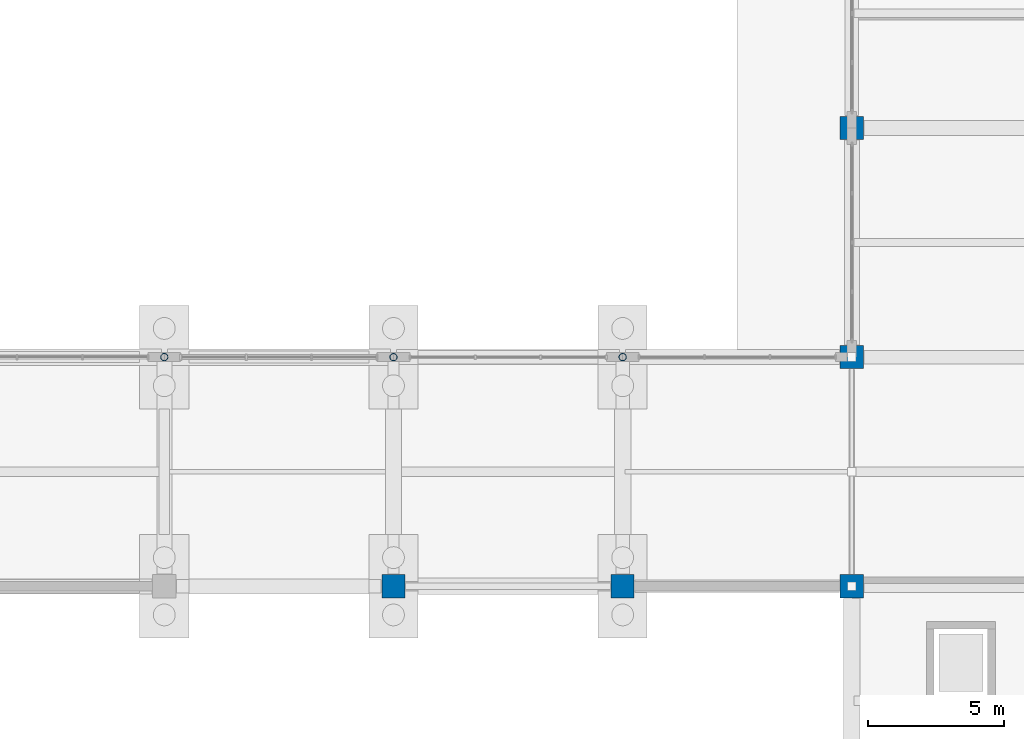
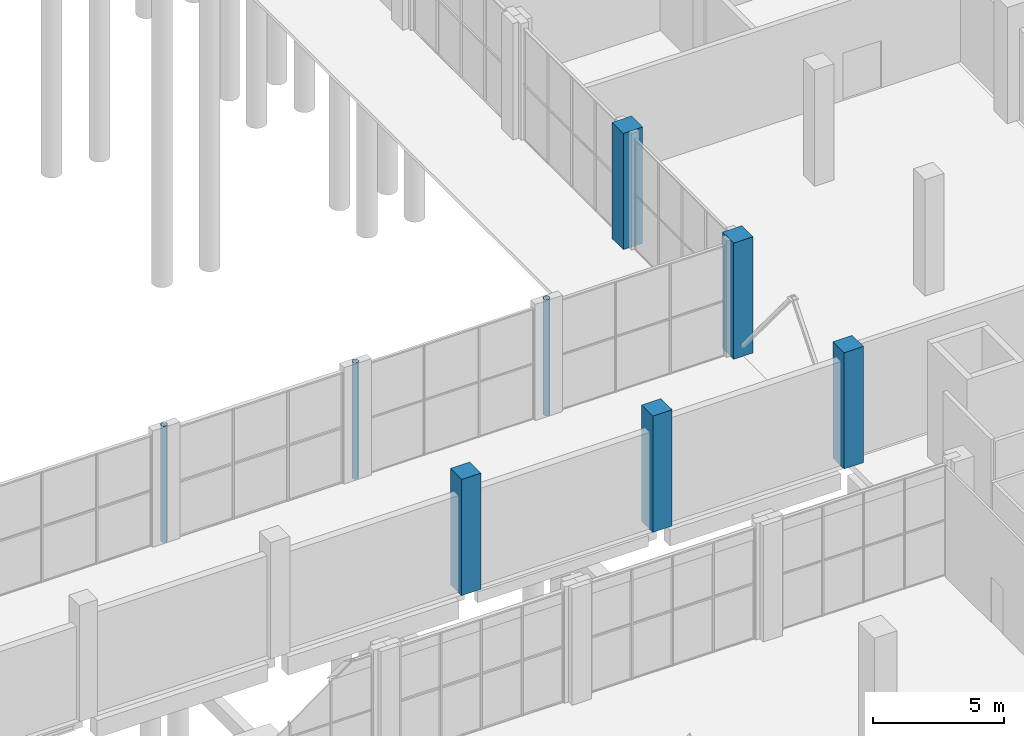
# One storey, part 13 of 82: 8 columns.
"""IFC4 building model written with IfcOpenShell, lengths in metres."""

import ifcopenshell
import ifcopenshell.guid

model = None  # the IFC model being written
_history = None  # IfcOwnerHistory: only IFC2X3 demands one
_inside = {}  # id of a spatial element -> (the spatial element, [elements in it])
_under = {}  # id of a project, library or spatial element -> (it, [spatial elements below it])
_declared = {}  # id of a project -> (the project, [libraries it declares])
_typed = {}  # id of a type object -> (the type object, [elements of that type])
_made_of = {}  # id of a material, layer set ... -> (it, [elements and type objects made of it])


def new_model(schema):
    """Start an empty IFC model of exactly this schema.

    Asked for "IFC4X3", IfcOpenShell would pick the latest addendum, in which some entities
    have other attributes; the version numbers below select the first issue.
    IFC2X3 requires an IfcOwnerHistory on every rooted entity: one is made here for all.
    """
    global model, _history
    if schema == "IFC4X3":
        model = ifcopenshell.file(schema_version=(4, 3, 0, 0))
    else:
        model = ifcopenshell.file(schema=schema)
    _inside.clear()
    _under.clear()
    _declared.clear()
    _typed.clear()
    _made_of.clear()
    _history = None
    if model.schema == "IFC2X3":
        org = make("IfcOrganization", Name="unknown")
        user = make(
            "IfcPersonAndOrganization",
            ThePerson=make("IfcPerson", FamilyName="unknown"),
            TheOrganization=org,
        )
        app = make(
            "IfcApplication",
            ApplicationDeveloper=org,
            Version="unknown",
            ApplicationFullName="unknown",
            ApplicationIdentifier="unknown",
        )
        _history = make(
            "IfcOwnerHistory",
            OwningUser=user,
            OwningApplication=app,
            ChangeAction="ADDED",
            CreationDate=0,
        )
    return model


def make(cls, **values):
    """One entity of the class cls with the attributes given. An attribute that is None is left unset."""
    return model.create_entity(
        cls, **{name: value for name, value in values.items() if value is not None}
    )


def rooted(cls, **values):
    """An entity with a GlobalId (a new one), such as an element, a storey or a relation."""
    return make(cls, GlobalId=ifcopenshell.guid.new(), OwnerHistory=_history, **values)


def si_unit(unit_type, name, prefix=None):
    """IfcSIUnit, for example si_unit("LENGTHUNIT", "METRE", prefix="MILLI")."""
    return make("IfcSIUnit", UnitType=unit_type, Prefix=prefix, Name=name)


def derived_unit(unit_type, elements):
    """IfcDerivedUnit: a product of units, each with its exponent."""
    return make(
        "IfcDerivedUnit",
        Elements=[
            make("IfcDerivedUnitElement", Unit=unit, Exponent=power)
            for unit, power in elements
        ],
        UnitType=unit_type,
    )


def assignment(units):
    """IfcUnitAssignment: the units of a project."""
    return None if units is None else make("IfcUnitAssignment", Units=units)


def point(xyz):
    """IfcCartesianPoint."""
    return None if xyz is None else make("IfcCartesianPoint", Coordinates=xyz)


def direction(xyz):
    """IfcDirection."""
    return None if xyz is None else make("IfcDirection", DirectionRatios=xyz)


def frame(location, z_axis=None, x_axis=None):
    """IfcAxis2Placement3D, a coordinate frame: its origin and axes. An axis left out is left unset."""
    return make(
        "IfcAxis2Placement3D",
        Location=point(location),
        Axis=direction(z_axis),
        RefDirection=direction(x_axis),
    )


def frame_2d(location, x_axis=None):
    """IfcAxis2Placement2D, a coordinate frame in the plane: its origin and x axis."""
    return make(
        "IfcAxis2Placement2D", Location=point(location), RefDirection=direction(x_axis)
    )


def origin():
    """The frame at (0, 0, 0) with its axes left unset."""
    return frame((0.0, 0.0, 0.0))


def origin_2d():
    """The frame at (0, 0) in the plane with its x axis left unset."""
    return frame_2d((0.0, 0.0))


def place(relative_to, where):
    """IfcLocalPlacement: puts the frame where relative to a parent placement (None: the world)."""
    return make(
        "IfcLocalPlacement", PlacementRelTo=relative_to, RelativePlacement=where
    )


def context(
    kind, dimensions, precision=None, world=None, true_north=None, identifier=None
):
    """IfcGeometricRepresentationContext, for example the 3D "Model" context."""
    return make(
        "IfcGeometricRepresentationContext",
        ContextIdentifier=identifier,
        ContextType=kind,
        CoordinateSpaceDimension=dimensions,
        Precision=precision,
        WorldCoordinateSystem=world,
        TrueNorth=true_north,
    )


def subcontext(parent, identifier, kind, view, scale=None):
    """IfcGeometricRepresentationSubContext, for example "Body" below "Model"."""
    return make(
        "IfcGeometricRepresentationSubContext",
        ContextIdentifier=identifier,
        ContextType=kind,
        ParentContext=parent,
        TargetScale=scale,
        TargetView=view,
    )


def project(units=None, contexts=None):
    """IfcProject with its units and contexts."""
    return rooted(
        "IfcProject",
        Name="project",
        RepresentationContexts=contexts,
        UnitsInContext=assignment(units),
    )


def spatial(cls, under=None, at=None, **own):
    """A site, building, storey or space (cls), placed at a placement, below another one or the project."""
    s = rooted(cls, ObjectPlacement=at, **own)
    if under is not None:
        _under.setdefault(under.id(), (under, []))[1].append(s)
    return s


def profile(cls, at=None, kind="AREA", **sizes):
    """A parametric profile (cls). Its sizes go by their IFC names, for example OverallWidth=200.0."""
    return make(cls, ProfileType=kind, Position=at, **sizes)


def rectangle(**sizes):
    """IfcRectangleProfileDef."""
    return profile("IfcRectangleProfileDef", **sizes)


def hollow_circle(**sizes):
    """IfcCircleHollowProfileDef."""
    return profile("IfcCircleHollowProfileDef", **sizes)


def extrude(swept, where, along, depth):
    """IfcExtrudedAreaSolid: the profile swept, set in the frame where, extruded along a direction by depth."""
    return make(
        "IfcExtrudedAreaSolid",
        SweptArea=swept,
        Position=where,
        ExtrudedDirection=direction(along),
        Depth=depth,
    )


def shape(context_of_items, identifier, shape_type, items):
    """IfcShapeRepresentation: the items that make up one representation, for example the "Body"."""
    return make(
        "IfcShapeRepresentation",
        ContextOfItems=context_of_items,
        RepresentationIdentifier=identifier,
        RepresentationType=shape_type,
        Items=items,
    )


def material(Name=None, Category=None):
    """IfcMaterial."""
    return make("IfcMaterial", Name=Name, Category=Category)


def material_profile(
    of_material, cross_section, Name=None, Category=None, Priority=None
):
    """IfcMaterialProfile: a cross section and its material."""
    return make(
        "IfcMaterialProfile",
        Name=Name,
        Material=of_material,
        Profile=cross_section,
        Priority=Priority,
        Category=Category,
    )


def profile_set(profiles, Name=None, composite=None):
    """IfcMaterialProfileSet."""
    return make(
        "IfcMaterialProfileSet",
        Name=Name,
        MaterialProfiles=profiles,
        CompositeProfile=composite,
    )


def made_of(thing, what):
    """Note that an element or type object is made of a material, layer set ...; save() writes the relation."""
    if what is not None:
        _made_of.setdefault(what.id(), (what, []))[1].append(thing)
    return thing


def type_object(cls, material=None, **own):
    """A type object (cls), such as IfcWallType, which elements share."""
    return made_of(rooted(cls, **own), material)


def element(
    cls,
    number,
    at=None,
    inside=None,
    cuts=None,
    type_object=None,
    material=None,
    context=None,
    identifier="Body",
    shape_type=None,
    held_by="IfcProductDefinitionShape",
    body=None,
    shapes=None,
    **own,
):
    """One element of the class cls, such as IfcWall. Its Tag is "e" and its number.

    at: its placement. inside: the storey or other place that contains it. cuts: it is an
    opening in that element (IfcRelVoidsElement). A single representation is given by context,
    identifier, shape_type and body (its items); several are given by shapes. held_by: the class
    of the entity that holds the representations. save() writes the other relations.
    """
    e = rooted(cls, Tag="e%d" % number, ObjectPlacement=at, **own)
    if body is not None:
        shapes = [shape(context, identifier, shape_type, body)]
    if shapes is not None:
        e.Representation = make(held_by, Representations=shapes)
    if inside is not None:
        _inside.setdefault(inside.id(), (inside, []))[1].append(e)
    if cuts is not None:
        rooted(
            "IfcRelVoidsElement", RelatingBuildingElement=cuts, RelatedOpeningElement=e
        )
    if type_object is not None:
        _typed.setdefault(type_object.id(), (type_object, []))[1].append(e)
    return made_of(e, material)


def aggregate(whole, parts):
    """IfcRelAggregates: a whole, such as a stair, and the parts it consists of."""
    return rooted("IfcRelAggregates", RelatingObject=whole, RelatedObjects=parts)


def save(model, path):
    """Write the relations noted so far, then the file.

    IfcRelAggregates (storeys below a building ...), IfcRelContainedInSpatialStructure (elements
    in a storey), IfcRelDefinesByType, IfcRelAssociatesMaterial and IfcRelDeclares: one each for
    every whole, place, type object, material and project.
    """
    for whole, parts in _under.values():
        aggregate(whole, parts)
    for where, things in _inside.values():
        rooted(
            "IfcRelContainedInSpatialStructure",
            RelatedElements=things,
            RelatingStructure=where,
        )
    for kind, things in _typed.values():
        rooted("IfcRelDefinesByType", RelatedObjects=things, RelatingType=kind)
    for what, things in _made_of.values():
        rooted("IfcRelAssociatesMaterial", RelatedObjects=things, RelatingMaterial=what)
    for by, libraries in _declared.values():
        rooted("IfcRelDeclares", RelatingContext=by, RelatedDefinitions=libraries)
    model.write(path)


model = new_model("IFC4")

# Units and contexts
model_context = context("Model", 3, precision=1e-05, world=origin(), true_north=direction((0.0, 1.0)))
body_context = subcontext(model_context, "Body", "Model", "MODEL_VIEW")
ifc_project = project(units=[si_unit("LENGTHUNIT", "METRE"), si_unit("AREAUNIT", "SQUARE_METRE"), si_unit("VOLUMEUNIT", "CUBIC_METRE"), si_unit("PLANEANGLEUNIT", "RADIAN"), si_unit("MASSUNIT", "GRAM", prefix="KILO"), derived_unit("THERMALTRANSMITTANCEUNIT", [(si_unit("POWERUNIT", "WATT"), 1), (si_unit("LENGTHUNIT", "METRE"), -2), (si_unit("THERMODYNAMICTEMPERATUREUNIT", "KELVIN"), -1)])], contexts=[model_context])

# Site, building, storey
site_placement = place(None, origin())
site = spatial("IfcSite", under=ifc_project, at=site_placement, CompositionType="ELEMENT")
building_placement = place(site_placement, origin())
building = spatial("IfcBuilding", under=site, at=building_placement, Name="Barrovel Congress Hotel", CompositionType="ELEMENT")
storey_placement = place(building_placement, origin())
storey = spatial("IfcBuildingStorey", under=building, at=storey_placement, Name="L00", CompositionType="ELEMENT", Elevation=0.0)

# Columns
ifc_material_1 = material(Name="Concrete C40", Category="concrete")
ifc_material_profile_1 = material_profile(ifc_material_1, rectangle(XDim=0.85009765625, YDim=0.85009765625, at=origin_2d()), Name="RC850x850")
ifc_profile_set_1 = profile_set([ifc_material_profile_1], Name="Concrete C40")
column_type_1 = type_object("IfcColumnType", Name="COL-RC850x850", PredefinedType="COLUMN", material=ifc_profile_set_1)
for number, where, z_axis, x_axis, name in (
    (1, (109.199951171875, 37.800048828125, 0.0), (0.0, 0.0, 1.0), (1.0, 0.0, 0.0), "COL:L00:109.2:37.8"),
    (2, (117.60009765625, 37.800048828125, 0.0), (0.0, 0.0, 1.0), (1.0, 0.0, 0.0), "COL:L00:117.6:37.8"),
    (3, (126.0, 37.800048828125, 0.0), (0.0, 0.0, 1.0), (1.0, 0.0, 0.0), "COL:L00:126.0:37.8"),
    (4, (126.0, 46.199951171875, 0.0), (0.0, 0.0, 1.0), (1.0, 0.0, 0.0), "COL:L00:126.0:46.2"),
    (5, (126.0, 54.60009765625, 0.0), (0.0, 0.0, 1.0), (1.0, 0.0, 0.0), "COL:L00:126.0:54.6"),
):
    element("IfcColumn", number, at=place(storey_placement, frame(where, z_axis=z_axis, x_axis=x_axis)), inside=storey, type_object=column_type_1, Name=name, PredefinedType="COLUMN", context=body_context, shape_type="SweptSolid", body=[
        extrude(rectangle(XDim=0.85009765625, YDim=0.85009765625, at=origin_2d()), origin(), (0.0, 0.0, 1.0), 5.39990234375),
    ])
ifc_material_2 = material(Name="Steel ASTM A500 Grade C", Category="steel")
ifc_material_profile_2 = material_profile(ifc_material_2, hollow_circle(Radius=0.136474609375, WallThickness=0.01171875, at=origin_2d()), Name="CHS273.1x12.7")
ifc_profile_set_2 = profile_set([ifc_material_profile_2], Name="Steel ASTM A500 Grade C")
column_type_2 = type_object("IfcColumnType", Name="SCOL-CHS273.1x12.7", PredefinedType="COLUMN", material=ifc_profile_set_2)
for number, where, z_axis, x_axis, name in (
    (6, (100.800048828125, 46.199951171875, 0.0), (0.0, 0.0, 1.0), (1.0, 0.0, 0.0), "COL:L00:100.8:46.2"),
    (7, (109.199951171875, 46.199951171875, 0.0), (0.0, 0.0, 1.0), (1.0, 0.0, 0.0), "COL:L00:109.2:46.2"),
    (8, (117.60009765625, 46.199951171875, 0.0), (0.0, 0.0, 1.0), (1.0, 0.0, 0.0), "COL:L00:117.6:46.2"),
):
    element("IfcColumn", number, at=place(storey_placement, frame(where, z_axis=z_axis, x_axis=x_axis)), inside=storey, type_object=column_type_2, Name=name, PredefinedType="COLUMN", context=body_context, shape_type="SweptSolid", body=[
        extrude(hollow_circle(Radius=0.136474609375, WallThickness=0.01171875, at=origin_2d()), origin(), (0.0, 0.0, 1.0), 5.39990234375),
    ])

save(model, "model.ifc")
